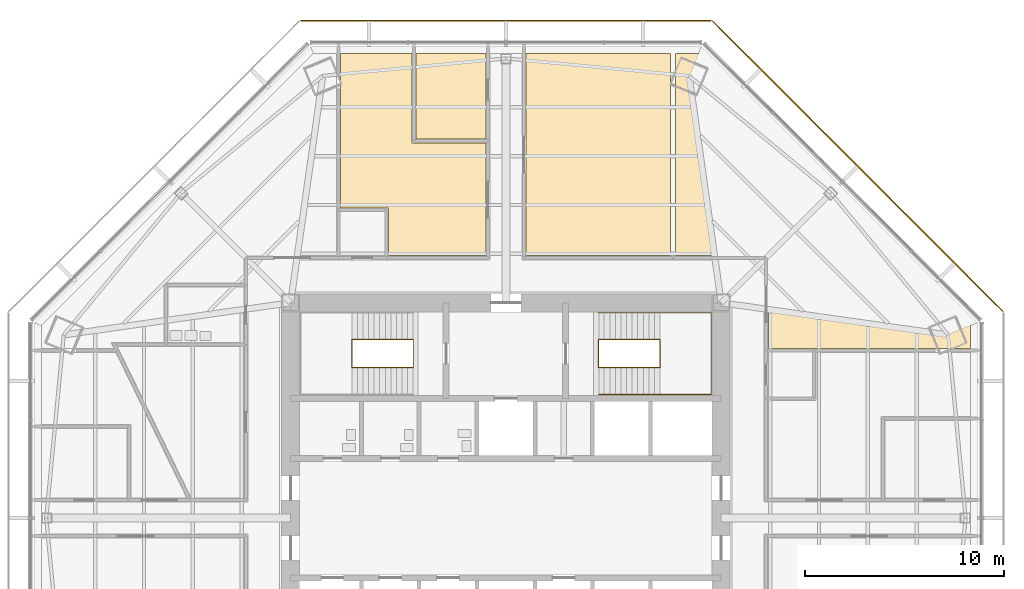
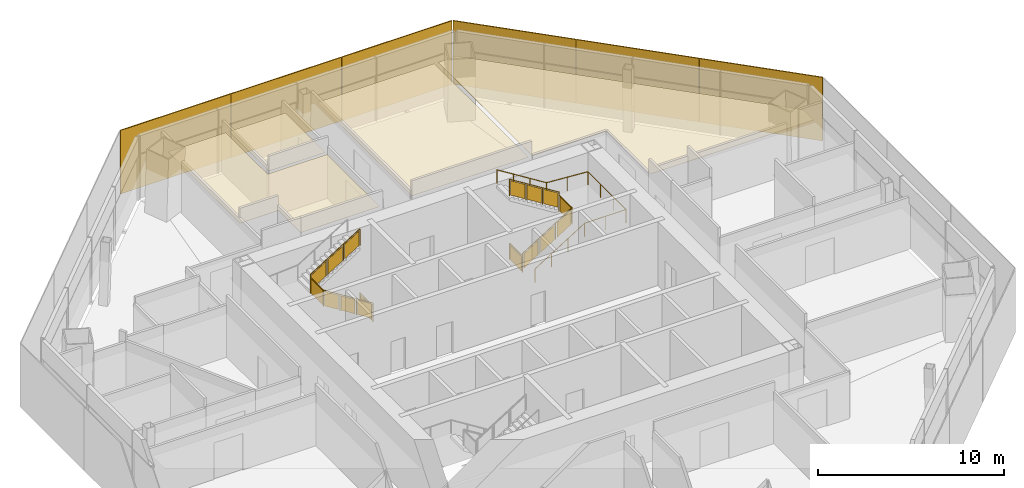
# One storey, part 13 of 14: 6 shading devices, 4 coverings, 3 railings.
"""IFC4 building model written with IfcOpenShell, lengths in metres."""

from ifc_helpers import new_model, si_unit, direction, frame, origin, origin_2d, place, context, subcontext, project, spatial, polyline, rectangle, circle, outline, extrude, source, transform, mapped, material, layer, layer_set, type_object, type_shapes, element, save


model = new_model("IFC4")

# Units and contexts
model_context = context("Model", 3, precision=1e-05, world=origin(), true_north=direction((0.0, 1.0)))
body_context = subcontext(model_context, "Body", "Model", "MODEL_VIEW")
ifc_project = project(units=[si_unit("LENGTHUNIT", "METRE"), si_unit("AREAUNIT", "SQUARE_METRE"), si_unit("VOLUMEUNIT", "CUBIC_METRE"), si_unit("PLANEANGLEUNIT", "RADIAN"), si_unit("MASSUNIT", "GRAM", prefix="KILO")], contexts=[model_context])

# Site, building, storey
site_placement = place(None, origin())
site = spatial("IfcSite", under=ifc_project, at=site_placement, CompositionType="ELEMENT")
building_placement = place(site_placement, origin())
building = spatial("IfcBuilding", under=site, at=building_placement, Name="Mashrafa Tower", CompositionType="ELEMENT")
storey_placement = place(building_placement, frame((0.0, 0.0, 147.0)))
storey = spatial("IfcBuildingStorey", under=building, at=storey_placement, Name="L33", CompositionType="ELEMENT", Elevation=147.0)

# Railings
ifc_material_1 = material(Name="Steel guard with glass infill", Category="steel")
railing_type_1 = type_object("IfcRailingType", Name="Stair guard 1100", PredefinedType="GUARDRAIL", material=ifc_material_1)
railing_1_placement = place(storey_placement, frame((-4.64990234375, 8.949951171875, 0.0)))
element("IfcRailing", 1, at=railing_1_placement, inside=storey, type_object=railing_type_1, Name="Stair S1 guard L33", PredefinedType="GUARDRAIL", context=body_context, shape_type="SweptSolid", body=[
    extrude(circle(Radius=0.02392578125, at=origin_2d()), frame((0.0, 0.0, 1.076171875), z_axis=(0.0, -1.0, 0.0), x_axis=(1.0, 0.0, 0.0)), (0.0, 0.0, 1.0), 1.39990234375),
    extrude(circle(Radius=0.02392578125, at=origin_2d()), frame((0.0, -1.39990234375, 1.076171875), z_axis=(0.0, 0.0, 1.0), x_axis=(1.0, 0.0, 0.0)), (0.0, 0.0, 1.0), 0.175048828125),
    extrude(circle(Radius=0.02392578125, at=origin_2d()), frame((0.0, -1.39990234375, 1.2509765625), z_axis=(-0.847998304005, 0.0, 0.529998940003), x_axis=(0.0, -1.0, 0.0)), (0.0, 0.0, 1.0), 3.632080078125),
    extrude(circle(Radius=0.02392578125, at=origin_2d()), frame((-3.080078125, -1.39990234375, 3.17626953125), z_axis=(0.0, 1.0, 0.0), x_axis=(-1.0, 0.0, 0.0)), (0.0, 0.0, 1.0), 1.39990234375),
    extrude(circle(Radius=0.02392578125, at=origin_2d()), frame((-3.080078125, 0.0, 3.17626953125), z_axis=(0.0, 0.0, 1.0), x_axis=(1.0, 0.0, 0.0)), (0.0, 0.0, 1.0), 0.1748046875),
    extrude(circle(Radius=0.02392578125, at=origin_2d()), frame((-3.080078125, 0.0, 3.35107421875), z_axis=(0.847998304005, 0.0, 0.529998940003), x_axis=(0.0, 1.0, 0.0)), (0.0, 0.0, 1.0), 3.632080078125),
    extrude(circle(Radius=0.02099609375, at=origin_2d()), origin(), (0.0, 0.0, 1.0), 1.052001953125),
    extrude(circle(Radius=0.02099609375, at=origin_2d()), frame((0.0, -1.39990234375, 0.0)), (0.0, 0.0, 1.0), 1.052001953125),
    extrude(circle(Radius=0.02099609375, at=origin_2d()), frame((0.0, -1.39990234375, 0.175048828125)), (0.0, 0.0, 1.0), 1.052001953125),
    extrude(circle(Radius=0.02099609375, at=origin_2d()), frame((-1.026611328125, -1.39990234375, 0.816650390625)), (0.0, 0.0, 1.0), 1.052001953125),
    extrude(circle(Radius=0.02099609375, at=origin_2d()), frame((-2.053466796875, -1.39990234375, 1.45849609375)), (0.0, 0.0, 1.0), 1.052001953125),
    extrude(circle(Radius=0.02099609375, at=origin_2d()), frame((-3.080078125, -1.39990234375, 2.10009765625)), (0.0, 0.0, 1.0), 1.052001953125),
    extrude(circle(Radius=0.02099609375, at=origin_2d()), frame((-3.080078125, 0.0, 2.10009765625)), (0.0, 0.0, 1.0), 1.052001953125),
    extrude(circle(Radius=0.02099609375, at=origin_2d()), frame((-3.080078125, 0.0, 2.27490234375)), (0.0, 0.0, 1.0), 1.052001953125),
    extrude(circle(Radius=0.02099609375, at=origin_2d()), frame((-2.053466796875, 0.0, 2.91650390625)), (0.0, 0.0, 1.0), 1.052001953125),
    extrude(circle(Radius=0.02099609375, at=origin_2d()), frame((-1.026611328125, 0.0, 3.558349609375)), (0.0, 0.0, 1.0), 1.052001953125),
    extrude(circle(Radius=0.02099609375, at=origin_2d()), frame((0.0, 0.0, 4.199951171875)), (0.0, 0.0, 1.0), 1.052001953125),
    extrude(outline(polyline([(0.071044921875, 0.050048828125), (1.328857421875, 0.050048828125), (1.328857421875, 1.001953125), (0.071044921875, 1.001953125), (0.071044921875, 0.050048828125)])), frame((-0.006103515625, 0.0, 0.0), z_axis=(-1.0, 0.0, 0.0), x_axis=(0.0, -1.0, 0.0)), (0.0, 0.0, 1.0), 0.011962890625),
    extrude(outline(polyline([(0.071044921875, 0.094482421875), (0.955810546875, 0.647216796875), (0.955810546875, 1.599365234375), (0.071044921875, 1.04638671875), (0.071044921875, 0.094482421875)])), frame((0.0, -1.393798828125, 0.175048828125), z_axis=(0.0, 1.0, 0.0), x_axis=(-1.0, 0.0, 0.0)), (0.0, 0.0, 1.0), 0.011962890625),
    extrude(outline(polyline([(1.09765625, 0.736083984375), (1.982421875, 1.2890625), (1.982421875, 2.240966796875), (1.09765625, 1.68798828125), (1.09765625, 0.736083984375)])), frame((0.0, -1.393798828125, 0.175048828125), z_axis=(0.0, 1.0, 0.0), x_axis=(-1.0, 0.0, 0.0)), (0.0, 0.0, 1.0), 0.011962890625),
    extrude(outline(polyline([(2.124267578125, 1.377685546875), (3.009033203125, 1.9306640625), (3.009033203125, 2.882568359375), (2.124267578125, 2.329833984375), (2.124267578125, 1.377685546875)])), frame((0.0, -1.393798828125, 0.175048828125), z_axis=(0.0, 1.0, 0.0), x_axis=(-1.0, 0.0, 0.0)), (0.0, 0.0, 1.0), 0.011962890625),
    extrude(outline(polyline([(0.071044921875, 0.050048828125), (1.328857421875, 0.050048828125), (1.328857421875, 1.001953125), (0.071044921875, 1.001953125), (0.071044921875, 0.050048828125)])), frame((-3.073974609375, -1.39990234375, 2.10009765625), z_axis=(1.0, 0.0, 0.0), x_axis=(0.0, 1.0, 0.0)), (0.0, 0.0, 1.0), 0.011962890625),
    extrude(outline(polyline([(0.071044921875, 0.094482421875), (0.955810546875, 0.647216796875), (0.955810546875, 1.599365234375), (0.071044921875, 1.04638671875), (0.071044921875, 0.094482421875)])), frame((-3.080078125, -0.006103515625, 2.27490234375), z_axis=(0.0, -1.0, 0.0), x_axis=(1.0, 0.0, 0.0)), (0.0, 0.0, 1.0), 0.011962890625),
    extrude(outline(polyline([(1.09765625, 0.736083984375), (1.982421875, 1.2890625), (1.982421875, 2.240966796875), (1.09765625, 1.68798828125), (1.09765625, 0.736083984375)])), frame((-3.080078125, -0.006103515625, 2.27490234375), z_axis=(0.0, -1.0, 0.0), x_axis=(1.0, 0.0, 0.0)), (0.0, 0.0, 1.0), 0.011962890625),
    extrude(outline(polyline([(2.124267578125, 1.377685546875), (3.009033203125, 1.9306640625), (3.009033203125, 2.882568359375), (2.124267578125, 2.329833984375), (2.124267578125, 1.377685546875)])), frame((-3.080078125, -0.006103515625, 2.27490234375), z_axis=(0.0, -1.0, 0.0), x_axis=(1.0, 0.0, 0.0)), (0.0, 0.0, 1.0), 0.011962890625),
])
railing_2_placement = place(storey_placement, frame((4.64990234375, 8.949951171875, 0.0)))
element("IfcRailing", 2, at=railing_2_placement, inside=storey, type_object=railing_type_1, Name="Stair S2 guard L33", PredefinedType="GUARDRAIL", context=body_context, shape_type="SweptSolid", body=[
    extrude(circle(Radius=0.02392578125, at=origin_2d()), frame((0.0, 0.0, 1.076171875), z_axis=(0.0, -1.0, 0.0), x_axis=(1.0, 0.0, 0.0)), (0.0, 0.0, 1.0), 1.39990234375),
    extrude(circle(Radius=0.02392578125, at=origin_2d()), frame((0.0, -1.39990234375, 1.076171875), z_axis=(0.0, 0.0, 1.0), x_axis=(1.0, 0.0, 0.0)), (0.0, 0.0, 1.0), 0.175048828125),
    extrude(circle(Radius=0.02392578125, at=origin_2d()), frame((0.0, -1.39990234375, 1.2509765625), z_axis=(0.847998304005, 0.0, 0.529998940003), x_axis=(0.0, 1.0, 0.0)), (0.0, 0.0, 1.0), 3.632080078125),
    extrude(circle(Radius=0.02392578125, at=origin_2d()), frame((3.080078125, -1.39990234375, 3.17626953125), z_axis=(0.0, 1.0, 0.0), x_axis=(-1.0, 0.0, 0.0)), (0.0, 0.0, 1.0), 1.39990234375),
    extrude(circle(Radius=0.02392578125, at=origin_2d()), frame((3.080078125, 0.0, 3.17626953125), z_axis=(0.0, 0.0, 1.0), x_axis=(1.0, 0.0, 0.0)), (0.0, 0.0, 1.0), 0.1748046875),
    extrude(circle(Radius=0.02392578125, at=origin_2d()), frame((3.080078125, 0.0, 3.35107421875), z_axis=(-0.847998304005, 0.0, 0.529998940003), x_axis=(0.0, -1.0, 0.0)), (0.0, 0.0, 1.0), 3.632080078125),
    extrude(circle(Radius=0.02099609375, at=origin_2d()), origin(), (0.0, 0.0, 1.0), 1.052001953125),
    extrude(circle(Radius=0.02099609375, at=origin_2d()), frame((0.0, -1.39990234375, 0.0)), (0.0, 0.0, 1.0), 1.052001953125),
    extrude(circle(Radius=0.02099609375, at=origin_2d()), frame((0.0, -1.39990234375, 0.175048828125)), (0.0, 0.0, 1.0), 1.052001953125),
    extrude(circle(Radius=0.02099609375, at=origin_2d()), frame((1.026611328125, -1.39990234375, 0.816650390625)), (0.0, 0.0, 1.0), 1.052001953125),
    extrude(circle(Radius=0.02099609375, at=origin_2d()), frame((2.053466796875, -1.39990234375, 1.45849609375)), (0.0, 0.0, 1.0), 1.052001953125),
    extrude(circle(Radius=0.02099609375, at=origin_2d()), frame((3.080078125, -1.39990234375, 2.10009765625)), (0.0, 0.0, 1.0), 1.052001953125),
    extrude(circle(Radius=0.02099609375, at=origin_2d()), frame((3.080078125, 0.0, 2.10009765625)), (0.0, 0.0, 1.0), 1.052001953125),
    extrude(circle(Radius=0.02099609375, at=origin_2d()), frame((3.080078125, 0.0, 2.27490234375)), (0.0, 0.0, 1.0), 1.052001953125),
    extrude(circle(Radius=0.02099609375, at=origin_2d()), frame((2.053466796875, 0.0, 2.91650390625)), (0.0, 0.0, 1.0), 1.052001953125),
    extrude(circle(Radius=0.02099609375, at=origin_2d()), frame((1.026611328125, 0.0, 3.558349609375)), (0.0, 0.0, 1.0), 1.052001953125),
    extrude(circle(Radius=0.02099609375, at=origin_2d()), frame((0.0, 0.0, 4.199951171875)), (0.0, 0.0, 1.0), 1.052001953125),
    extrude(outline(polyline([(0.071044921875, 0.050048828125), (1.328857421875, 0.050048828125), (1.328857421875, 1.001953125), (0.071044921875, 1.001953125), (0.071044921875, 0.050048828125)])), frame((-0.006103515625, 0.0, 0.0), z_axis=(-1.0, 0.0, 0.0), x_axis=(0.0, -1.0, 0.0)), (0.0, 0.0, 1.0), 0.011962890625),
    extrude(outline(polyline([(0.071044921875, 0.094482421875), (0.955810546875, 0.647216796875), (0.955810546875, 1.599365234375), (0.071044921875, 1.04638671875), (0.071044921875, 0.094482421875)])), frame((0.0, -1.406005859375, 0.175048828125), z_axis=(0.0, -1.0, 0.0), x_axis=(1.0, 0.0, 0.0)), (0.0, 0.0, 1.0), 0.011962890625),
    extrude(outline(polyline([(1.09765625, 0.736083984375), (1.982421875, 1.2890625), (1.982421875, 2.240966796875), (1.09765625, 1.68798828125), (1.09765625, 0.736083984375)])), frame((0.0, -1.406005859375, 0.175048828125), z_axis=(0.0, -1.0, 0.0), x_axis=(1.0, 0.0, 0.0)), (0.0, 0.0, 1.0), 0.011962890625),
    extrude(outline(polyline([(2.124267578125, 1.377685546875), (3.009033203125, 1.9306640625), (3.009033203125, 2.882568359375), (2.124267578125, 2.329833984375), (2.124267578125, 1.377685546875)])), frame((0.0, -1.406005859375, 0.175048828125), z_axis=(0.0, -1.0, 0.0), x_axis=(1.0, 0.0, 0.0)), (0.0, 0.0, 1.0), 0.011962890625),
    extrude(outline(polyline([(0.071044921875, 0.050048828125), (1.328857421875, 0.050048828125), (1.328857421875, 1.001953125), (0.071044921875, 1.001953125), (0.071044921875, 0.050048828125)])), frame((3.086181640625, -1.39990234375, 2.10009765625), z_axis=(1.0, 0.0, 0.0), x_axis=(0.0, 1.0, 0.0)), (0.0, 0.0, 1.0), 0.011962890625),
    extrude(outline(polyline([(0.071044921875, 0.094482421875), (0.955810546875, 0.647216796875), (0.955810546875, 1.599365234375), (0.071044921875, 1.04638671875), (0.071044921875, 0.094482421875)])), frame((3.080078125, 0.006103515625, 2.27490234375), z_axis=(0.0, 1.0, 0.0), x_axis=(-1.0, 0.0, 0.0)), (0.0, 0.0, 1.0), 0.011962890625),
    extrude(outline(polyline([(1.09765625, 0.736083984375), (1.982421875, 1.2890625), (1.982421875, 2.240966796875), (1.09765625, 1.68798828125), (1.09765625, 0.736083984375)])), frame((3.080078125, 0.006103515625, 2.27490234375), z_axis=(0.0, 1.0, 0.0), x_axis=(-1.0, 0.0, 0.0)), (0.0, 0.0, 1.0), 0.011962890625),
    extrude(outline(polyline([(2.124267578125, 1.377685546875), (3.009033203125, 1.9306640625), (3.009033203125, 2.882568359375), (2.124267578125, 2.329833984375), (2.124267578125, 1.377685546875)])), frame((3.080078125, 0.006103515625, 2.27490234375), z_axis=(0.0, 1.0, 0.0), x_axis=(-1.0, 0.0, 0.0)), (0.0, 0.0, 1.0), 0.011962890625),
])
ifc_material_2 = material(Name="Steel", Category="steel")
railing_type_2 = type_object("IfcRailingType", Name="Stair handrail 900", PredefinedType="HANDRAIL", material=ifc_material_2)
railing_3_placement = place(storey_placement, frame((4.64990234375, 6.199951171875, 0.175048828125)))
element("IfcRailing", 3, at=railing_3_placement, inside=storey, type_object=railing_type_2, Name="Stair S2 handrail L33", PredefinedType="HANDRAIL", context=body_context, shape_type="SweptSolid", body=[
    extrude(circle(Radius=0.02392578125, at=origin_2d()), frame((0.0, 0.0, 0.8759765625), z_axis=(0.847998304005, 0.0, 0.529998940003), x_axis=(0.0, 1.0, 0.0)), (0.0, 0.0, 1.0), 3.632080078125),
    extrude(circle(Radius=0.02392578125, at=origin_2d()), frame((3.080078125, 0.0, 2.80078125), z_axis=(1.0, 0.0, 0.0), x_axis=(0.0, 1.0, 0.0)), (0.0, 0.0, 1.0), 2.570068359375),
    extrude(circle(Radius=0.02392578125, at=origin_2d()), frame((5.650146484375, 0.0, 2.80078125), z_axis=(0.0, 1.0, 0.0), x_axis=(-1.0, 0.0, 0.0)), (0.0, 0.0, 1.0), 4.10009765625),
    extrude(circle(Radius=0.02392578125, at=origin_2d()), frame((5.650146484375, 4.10009765625, 2.80078125), z_axis=(-0.99769493506, 0.0, 0.067858798661), x_axis=(0.0, -1.0, 0.0)), (0.0, 0.0, 1.0), 2.575927734375),
    extrude(circle(Radius=0.02392578125, at=origin_2d()), frame((3.080078125, 4.10009765625, 2.9755859375), z_axis=(-0.847998304005, 0.0, 0.529998940003), x_axis=(0.0, -1.0, 0.0)), (0.0, 0.0, 1.0), 3.632080078125),
    extrude(circle(Radius=0.02099609375, at=origin_2d()), origin(), (0.0, 0.0, 1.0), 0.851806640625),
    extrude(circle(Radius=0.02099609375, at=origin_2d()), frame((1.026611328125, 0.0, 0.6416015625)), (0.0, 0.0, 1.0), 0.851806640625),
    extrude(circle(Radius=0.02099609375, at=origin_2d()), frame((2.053466796875, 0.0, 1.283447265625)), (0.0, 0.0, 1.0), 0.851806640625),
    extrude(circle(Radius=0.02099609375, at=origin_2d()), frame((3.080078125, 0.0, 1.925048828125)), (0.0, 0.0, 1.0), 0.851806640625),
    extrude(circle(Radius=0.02099609375, at=origin_2d()), frame((4.365234375, 0.0, 1.925048828125)), (0.0, 0.0, 1.0), 0.851806640625),
    extrude(circle(Radius=0.02099609375, at=origin_2d()), frame((5.650146484375, 0.0, 1.925048828125)), (0.0, 0.0, 1.0), 0.851806640625),
    extrude(circle(Radius=0.02099609375, at=origin_2d()), frame((5.650146484375, 1.36669921875, 1.925048828125)), (0.0, 0.0, 1.0), 0.851806640625),
    extrude(circle(Radius=0.02099609375, at=origin_2d()), frame((5.650146484375, 2.7333984375, 1.925048828125)), (0.0, 0.0, 1.0), 0.851806640625),
    extrude(circle(Radius=0.02099609375, at=origin_2d()), frame((5.650146484375, 4.10009765625, 1.925048828125)), (0.0, 0.0, 1.0), 0.851806640625),
    extrude(circle(Radius=0.02099609375, at=origin_2d()), frame((4.365234375, 4.10009765625, 2.012451171875)), (0.0, 0.0, 1.0), 0.851806640625),
    extrude(circle(Radius=0.02099609375, at=origin_2d()), frame((3.080078125, 4.10009765625, 2.099853515625)), (0.0, 0.0, 1.0), 0.851806640625),
    extrude(circle(Radius=0.02099609375, at=origin_2d()), frame((2.053466796875, 4.10009765625, 2.741455078125)), (0.0, 0.0, 1.0), 0.851806640625),
    extrude(circle(Radius=0.02099609375, at=origin_2d()), frame((1.026611328125, 4.10009765625, 3.38330078125)), (0.0, 0.0, 1.0), 0.851806640625),
    extrude(circle(Radius=0.02099609375, at=origin_2d()), frame((0.0, 4.10009765625, 4.02490234375)), (0.0, 0.0, 1.0), 0.851806640625),
])

# Coverings
ifc_material_3 = material(Name="Mineral fibre tile on suspension grid")
ifc_layer_1 = layer(ifc_material_3, 0.014892578125)
ifc_layer_set_1 = layer_set([ifc_layer_1], Name="Suspended ceiling mineral tile 15")
covering_type = type_object("IfcCoveringType", Name="Suspended ceiling mineral tile 15", PredefinedType="CEILING", material=ifc_layer_set_1)
covering_1_placement = place(storey_placement, frame((0.0, 0.0, 2.89990234375)))
element("IfcCovering", 4, at=covering_1_placement, inside=storey, type_object=covering_type, Name="Ceiling Meeting Room 33-N", PredefinedType="CEILING", context=body_context, shape_type="SweptSolid", body=[
    extrude(outline(polyline([(-4.5, 23.306396484375), (-1.0, 23.306396484375), (-1.0, 19.00634765625), (-4.5, 19.00634765625), (-4.5, 23.306396484375)])), origin(), (0.0, 0.0, 1.0), 0.01513671875),
])
covering_2_placement = place(storey_placement, frame((0.0, 0.0, 2.89990234375)))
element("IfcCovering", 5, at=covering_2_placement, inside=storey, type_object=covering_type, Name="Ceiling Office Suite 33-NE12", PredefinedType="CEILING", context=body_context, shape_type="SweptSolid", body=[
    extrude(outline(polyline([(1.0, 23.306396484375), (8.260009765625, 23.306396484375), (8.260009765625, 13.14990234375), (1.0, 13.14990234375), (1.0, 23.306396484375)])), origin(), (0.0, 0.0, 1.0), 0.01513671875),
])
covering_3_placement = place(storey_placement, frame((0.0, 0.0, 2.89990234375)))
element("IfcCovering", 6, at=covering_3_placement, inside=storey, type_object=covering_type, Name="Ceiling Office Suite 33-NE22", PredefinedType="CEILING", context=body_context, shape_type="SweptSolid", body=[
    extrude(outline(polyline([(8.5, 13.14990234375), (8.5, 23.306396484375), (9.65380859375, 23.306396484375), (23.306396484375, 9.65380859375), (23.306396484375, 8.5), (13.14990234375, 8.5), (13.14990234375, 13.14990234375), (8.5, 13.14990234375)])), origin(), (0.0, 0.0, 1.0), 0.01513671875),
])
covering_4_placement = place(storey_placement, frame((0.0, 0.0, 2.89990234375)))
element("IfcCovering", 7, at=covering_4_placement, inside=storey, type_object=covering_type, Name="Ceiling Office Suite 33-NW12", PredefinedType="CEILING", context=body_context, shape_type="SweptSolid", body=[
    extrude(outline(polyline([(-8.300048828125, 15.550048828125), (-8.300048828125, 23.306396484375), (-4.699951171875, 23.306396484375), (-4.699951171875, 18.806396484375), (-1.0, 18.806396484375), (-1.0, 13.14990234375), (-5.89990234375, 13.14990234375), (-5.89990234375, 15.550048828125), (-8.300048828125, 15.550048828125)])), origin(), (0.0, 0.0, 1.0), 0.01513671875),
])

# Shading devices
ifc_material_4 = material(Name="Perforated aluminium plate, eight-point star pattern", Category="aluminium")
ifc_layer_2 = layer(ifc_material_4, 0.06005859375)
ifc_layer_set_2 = layer_set([ifc_layer_2], Name="Mashrabiya screen panel office zone 2, 40 percent open")
shading_device_type = type_object("IfcShadingDeviceType", Name="Mashrabiya screen panel office zone 2, 40 percent open", PredefinedType="SHUTTER", material=ifc_layer_set_2)
shared_shape = source(origin(), body_context, "Body", "SweptSolid", [
    extrude(rectangle(XDim=6.8564453125, YDim=0.06005859375, at=origin_2d()), origin(), (0.0, 0.0, 1.0), 4.179931640625),
])
type_shapes(shading_device_type, [shared_shape])
for number, where, z_axis, x_axis, name in (
    (8, (22.50927734375, 12.784423828125, -0.14990234375), (0.0, 0.0, 1.0), (-0.707106781187, 0.707106781187, 0.0), "Mashrabiya screen L33 north-east 1"),
    (9, (17.646728515625, 17.646728515625, -0.14990234375), (0.0, 0.0, 1.0), (-0.707106781187, 0.707106781187, 0.0), "Mashrabiya screen L33 north-east 2"),
    (10, (12.784423828125, 22.50927734375, -0.14990234375), (0.0, 0.0, 1.0), (-0.707106781187, 0.707106781187, 0.0), "Mashrabiya screen L33 north-east 3"),
    (11, (6.87646484375, 24.956298828125, -0.14990234375), (0.0, 0.0, 1.0), (-1.0, 0.0, 0.0), "Mashrabiya screen L33 north 1"),
    (12, (0.0, 24.956298828125, -0.14990234375), (0.0, 0.0, 1.0), (-1.0, 0.0, 0.0), "Mashrabiya screen L33 north 2"),
    (13, (-6.87646484375, 24.956298828125, -0.14990234375), (0.0, 0.0, 1.0), (-1.0, 0.0, 0.0), "Mashrabiya screen L33 north 3"),
):
    element("IfcShadingDevice", number, at=place(storey_placement, frame(where, z_axis=z_axis, x_axis=x_axis)), inside=storey, type_object=shading_device_type, Name=name, PredefinedType="SHUTTER", context=body_context, shape_type="MappedRepresentation", body=[
        mapped(shared_shape, transform((0.0, 0.0, 0.0))),
    ])

save(model, "model.ifc")
